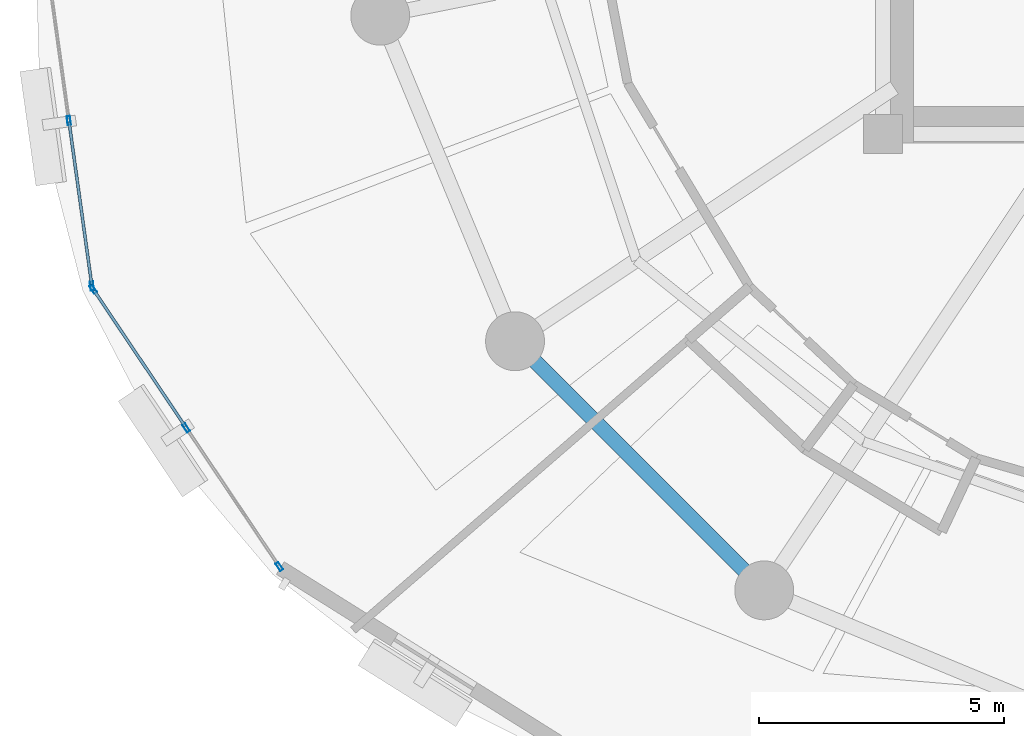
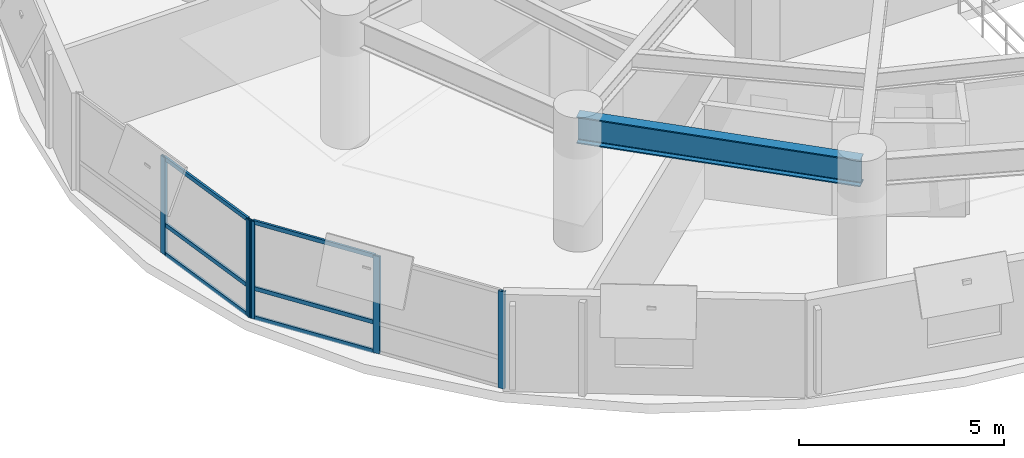
# One storey, part 2 of 15: 11 members, 1 beam, 2 elements without a shape of their own.
"""IFC4 building model written with IfcOpenShell, lengths in metres."""

from ifc_helpers import new_model, si_unit, direction, frame, origin, origin_2d, place, context, subcontext, project, spatial, hollow_rectangle, i_section, extrude, material, layer, layer_set, material_profile, profile_set, type_object, element, aggregate, save


model = new_model("IFC4")

# Units and contexts
model_context = context("Model", 3, precision=1e-05, world=origin(), true_north=direction((0.0, 1.0)))
body_context = subcontext(model_context, "Body", "Model", "MODEL_VIEW")
ifc_project = project(units=[si_unit("LENGTHUNIT", "METRE"), si_unit("AREAUNIT", "SQUARE_METRE"), si_unit("VOLUMEUNIT", "CUBIC_METRE"), si_unit("PLANEANGLEUNIT", "RADIAN"), si_unit("MASSUNIT", "GRAM", prefix="KILO"), si_unit("THERMODYNAMICTEMPERATUREUNIT", "KELVIN"), si_unit("POWERUNIT", "WATT")], contexts=[model_context])

# Site, building, storey
site_placement = place(None, origin())
site = spatial("IfcSite", under=ifc_project, at=site_placement, CompositionType="ELEMENT")
building_placement = place(site_placement, origin())
building = spatial("IfcBuilding", under=site, at=building_placement, Name="Ocrelia Relay Tower", CompositionType="ELEMENT")
storey_placement = place(building_placement, frame((0.0, 0.0, 121.800048828125)))
storey = spatial("IfcBuildingStorey", under=building, at=storey_placement, Name="L28", CompositionType="ELEMENT", Elevation=121.800048828125)

# Beam
ifc_material_1 = material(Name="Steel S355", Category="steel")
ifc_material_profile_1 = material_profile(ifc_material_1, i_section(OverallWidth=0.300048828125, OverallDepth=0.800048828125, WebThickness=0.017578125, FlangeThickness=0.032958984375, FilletRadius=0.030029296875, at=origin_2d()), Name="HEB 800")
ifc_profile_set_1 = profile_set([ifc_material_profile_1], Name="Steel S355")
beam_type = type_object("IfcBeamType", Name="BM-HEB800", PredefinedType="BEAM", material=ifc_profile_set_1)
beam_placement = place(storey_placement, frame((18.700927734375, 15.777587890625, 3.320068359375), z_axis=(0.707106781187, -0.707106781187, 0.0), x_axis=(0.707106781187, 0.707106781187, 0.0)))
element("IfcBeam", 1, at=beam_placement, inside=storey, type_object=beam_type, Name="L28 Perimeter Spandrel Beam S10", PredefinedType="BEAM", context=body_context, shape_type="SweptSolid", body=[
    extrude(i_section(OverallWidth=0.300048828125, OverallDepth=0.800048828125, WebThickness=0.017578125, FlangeThickness=0.032958984375, FilletRadius=0.030029296875, at=origin_2d()), origin(), (0.0, 0.0, 1.0), 7.179443359375),
])

# Curtain wall, members
ifc_material_2 = material(Name="Aluminium and solar-control low-E glass", Category="aluminium")
ifc_layer = layer(ifc_material_2, 0.179931640625, Name="Aluminium and solar-control low-E glass")
ifc_layer_set = layer_set([ifc_layer], Name="Aluminium and solar-control low-E glass")
curtain_wall_type = type_object("IfcCurtainWallType", Name="CW-SYS-Z2-SWIT", PredefinedType="NOTDEFINED", material=ifc_layer_set)
curtain_wall_1_placement = place(storey_placement, origin())
curtain_wall_1 = element("IfcCurtainWall", 2, at=curtain_wall_1_placement, inside=storey, type_object=curtain_wall_type, Name="L28 Elliptical Tower Curtain Wall Bay 09", PredefinedType="NOTDEFINED")
ifc_material_3 = material(Name="Anodised bronze aluminium", Category="aluminium")
ifc_material_profile_2 = material_profile(ifc_material_3, hollow_rectangle(XDim=0.070068359375, YDim=0.179931640625, WallThickness=0.006103515625, at=origin_2d()), Name="CW-MUL-180x70")
ifc_profile_set_2 = profile_set([ifc_material_profile_2], Name="Anodised bronze aluminium")
member_type_1 = type_object("IfcMemberType", Name="CW-SYS-Z2-SWIT-MUL", PredefinedType="MULLION", material=ifc_profile_set_2)
member_1_placement = place(storey_placement, frame((9.60986328125, 20.274169921875, 0.0), z_axis=(0.0, 0.0, 1.0), x_axis=(0.990434578418, 0.137983136196, 0.0)))
member_1 = element("IfcMember", 3, at=member_1_placement, type_object=member_type_1, Name="CW-Z2 mullion 2", PredefinedType="MULLION", context=body_context, shape_type="SweptSolid", body=[
    extrude(hollow_rectangle(XDim=0.070068359375, YDim=0.179931640625, WallThickness=0.006103515625, at=origin_2d()), origin(), (0.0, 0.0, 1.0), 2.89990234375),
])
member_2_placement = place(storey_placement, frame((10.07958984375, 16.902099609375, 0.0), z_axis=(0.0, 0.0, 1.0), x_axis=(0.990434578418, 0.137983136196, 0.0)))
member_2 = element("IfcMember", 4, at=member_2_placement, type_object=member_type_1, Name="CW-Z2 mullion 3", PredefinedType="MULLION", context=body_context, shape_type="SweptSolid", body=[
    extrude(hollow_rectangle(XDim=0.070068359375, YDim=0.179931640625, WallThickness=0.006103515625, at=origin_2d()), origin(), (0.0, 0.0, 1.0), 2.89990234375),
])

curtain_wall_2_placement = place(storey_placement, origin())
curtain_wall_2 = element("IfcCurtainWall", 5, at=curtain_wall_2_placement, inside=storey, type_object=curtain_wall_type, Name="L28 Elliptical Tower Curtain Wall Bay 10", PredefinedType="NOTDEFINED")
member_3_placement = place(storey_placement, frame((10.10400390625, 16.83837890625, 0.0), z_axis=(0.0, 0.0, 1.0), x_axis=(0.830312998579, 0.5572973393, 0.0)))
member_3 = element("IfcMember", 6, at=member_3_placement, type_object=member_type_1, Name="CW-Z2 mullion 1", PredefinedType="MULLION", context=body_context, shape_type="SweptSolid", body=[
    extrude(hollow_rectangle(XDim=0.070068359375, YDim=0.179931640625, WallThickness=0.006103515625, at=origin_2d()), origin(), (0.0, 0.0, 1.0), 2.89990234375),
])
member_4_placement = place(storey_placement, frame((12.001220703125, 14.01171875, 0.0), z_axis=(0.0, 0.0, 1.0), x_axis=(0.830312998579, 0.5572973393, 0.0)))
member_4 = element("IfcMember", 7, at=member_4_placement, type_object=member_type_1, Name="CW-Z2 mullion 2", PredefinedType="MULLION", context=body_context, shape_type="SweptSolid", body=[
    extrude(hollow_rectangle(XDim=0.070068359375, YDim=0.179931640625, WallThickness=0.006103515625, at=origin_2d()), origin(), (0.0, 0.0, 1.0), 2.89990234375),
])
member_5_placement = place(storey_placement, frame((13.898681640625, 11.184814453125, 0.0), z_axis=(0.0, 0.0, 1.0), x_axis=(0.830312998579, 0.5572973393, 0.0)))
member_5 = element("IfcMember", 8, at=member_5_placement, type_object=member_type_1, Name="CW-Z2 mullion 3", PredefinedType="MULLION", context=body_context, shape_type="SweptSolid", body=[
    extrude(hollow_rectangle(XDim=0.070068359375, YDim=0.179931640625, WallThickness=0.006103515625, at=origin_2d()), origin(), (0.0, 0.0, 1.0), 2.89990234375),
])

# Member
ifc_material_profile_3 = material_profile(ifc_material_3, hollow_rectangle(XDim=0.06005859375, YDim=0.1201171875, WallThickness=0.0048828125, at=origin_2d()), Name="CW-TRN-120x60")
ifc_profile_set_3 = profile_set([ifc_material_profile_3], Name="Anodised bronze aluminium")
member_type_2 = type_object("IfcMemberType", Name="CW-SYS-Z2-SWIT-TRN", PredefinedType="USERDEFINED", material=ifc_profile_set_3)
member_6_placement = place(storey_placement, frame((9.61474609375, 20.239501953125, 0.030029296875), z_axis=(0.13793548569, -0.990441215715, 0.0), x_axis=(0.990441215715, 0.13793548569, 0.0)))
member_6 = element("IfcMember", 9, at=member_6_placement, type_object=member_type_2, Name="CW-Z2 transom 2.1", ObjectType="TRANSOM", PredefinedType="USERDEFINED", context=body_context, shape_type="SweptSolid", body=[
    extrude(hollow_rectangle(XDim=0.06005859375, YDim=0.1201171875, WallThickness=0.0048828125, at=origin_2d()), origin(), (0.0, 0.0, 1.0), 3.334716796875),
])

member_7_placement = place(storey_placement, frame((9.61474609375, 20.239501953125, 0.89990234375), z_axis=(0.13793548569, -0.990441215715, 0.0), x_axis=(0.990441215715, 0.13793548569, 0.0)))
member_7 = element("IfcMember", 10, at=member_7_placement, type_object=member_type_2, Name="CW-Z2 transom 2.2", ObjectType="TRANSOM", PredefinedType="USERDEFINED", context=body_context, shape_type="SweptSolid", body=[
    extrude(hollow_rectangle(XDim=0.06005859375, YDim=0.1201171875, WallThickness=0.0048828125, at=origin_2d()), origin(), (0.0, 0.0, 1.0), 3.334716796875),
])

member_8_placement = place(storey_placement, frame((9.61474609375, 20.239501953125, 2.869873046875), z_axis=(0.13793548569, -0.990441215715, 0.0), x_axis=(0.990441215715, 0.13793548569, 0.0)))
member_8 = element("IfcMember", 11, at=member_8_placement, type_object=member_type_2, Name="CW-Z2 transom 2.3", ObjectType="TRANSOM", PredefinedType="USERDEFINED", context=body_context, shape_type="SweptSolid", body=[
    extrude(hollow_rectangle(XDim=0.06005859375, YDim=0.1201171875, WallThickness=0.0048828125, at=origin_2d()), origin(), (0.0, 0.0, 1.0), 3.334716796875),
])

aggregate(curtain_wall_1, [member_1, member_2, member_6, member_7, member_8])

member_9_placement = place(storey_placement, frame((10.123291015625, 16.809326171875, 0.030029296875), z_axis=(0.557333250636, -0.830288894142, 0.0), x_axis=(0.830288894142, 0.557333250636, 0.0)))
member_9 = element("IfcMember", 12, at=member_9_placement, type_object=member_type_2, Name="CW-Z2 transom 1.1", ObjectType="TRANSOM", PredefinedType="USERDEFINED", context=body_context, shape_type="SweptSolid", body=[
    extrude(hollow_rectangle(XDim=0.06005859375, YDim=0.1201171875, WallThickness=0.0048828125, at=origin_2d()), origin(), (0.0, 0.0, 1.0), 3.33447265625),
])

member_10_placement = place(storey_placement, frame((10.123291015625, 16.809326171875, 0.89990234375), z_axis=(0.557333250636, -0.830288894142, 0.0), x_axis=(0.830288894142, 0.557333250636, 0.0)))
member_10 = element("IfcMember", 13, at=member_10_placement, type_object=member_type_2, Name="CW-Z2 transom 1.2", ObjectType="TRANSOM", PredefinedType="USERDEFINED", context=body_context, shape_type="SweptSolid", body=[
    extrude(hollow_rectangle(XDim=0.06005859375, YDim=0.1201171875, WallThickness=0.0048828125, at=origin_2d()), origin(), (0.0, 0.0, 1.0), 3.33447265625),
])

member_11_placement = place(storey_placement, frame((10.123291015625, 16.809326171875, 2.869873046875), z_axis=(0.557333250636, -0.830288894142, 0.0), x_axis=(0.830288894142, 0.557333250636, 0.0)))
member_11 = element("IfcMember", 14, at=member_11_placement, type_object=member_type_2, Name="CW-Z2 transom 1.3", ObjectType="TRANSOM", PredefinedType="USERDEFINED", context=body_context, shape_type="SweptSolid", body=[
    extrude(hollow_rectangle(XDim=0.06005859375, YDim=0.1201171875, WallThickness=0.0048828125, at=origin_2d()), origin(), (0.0, 0.0, 1.0), 3.33447265625),
])

aggregate(curtain_wall_2, [member_3, member_4, member_5, member_9, member_10, member_11])

save(model, "model.ifc")
